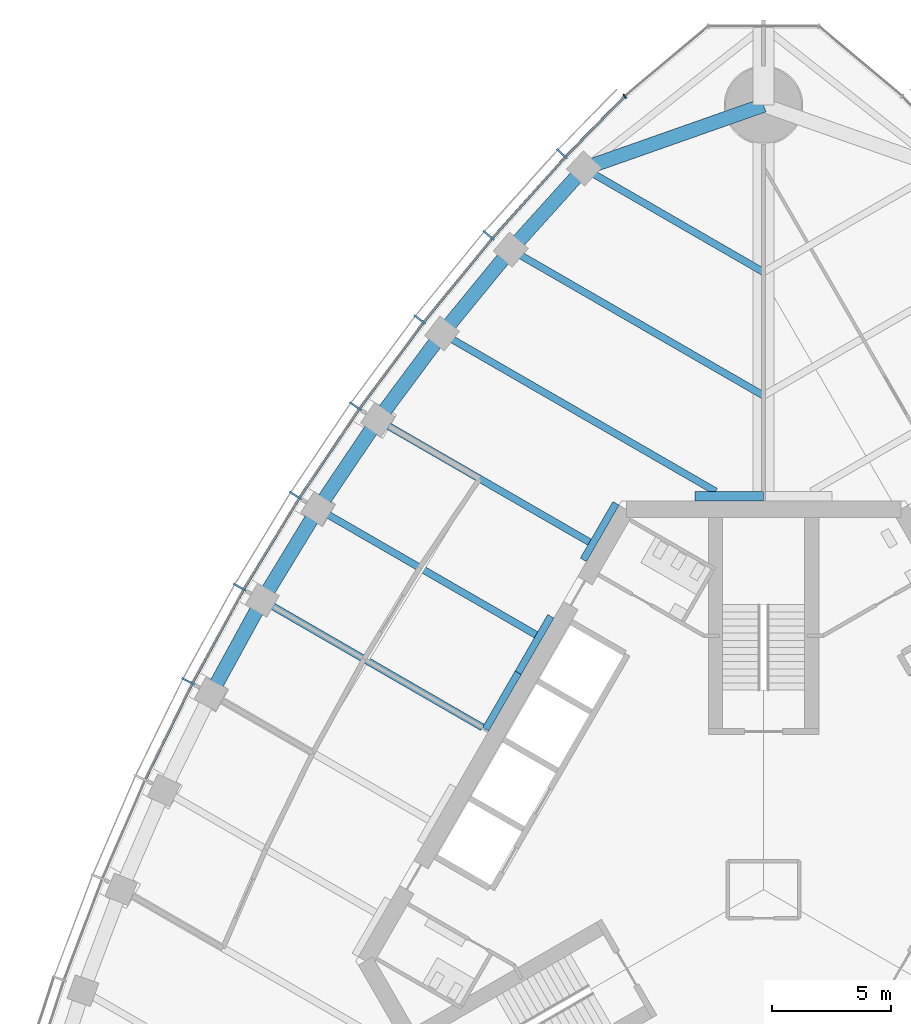
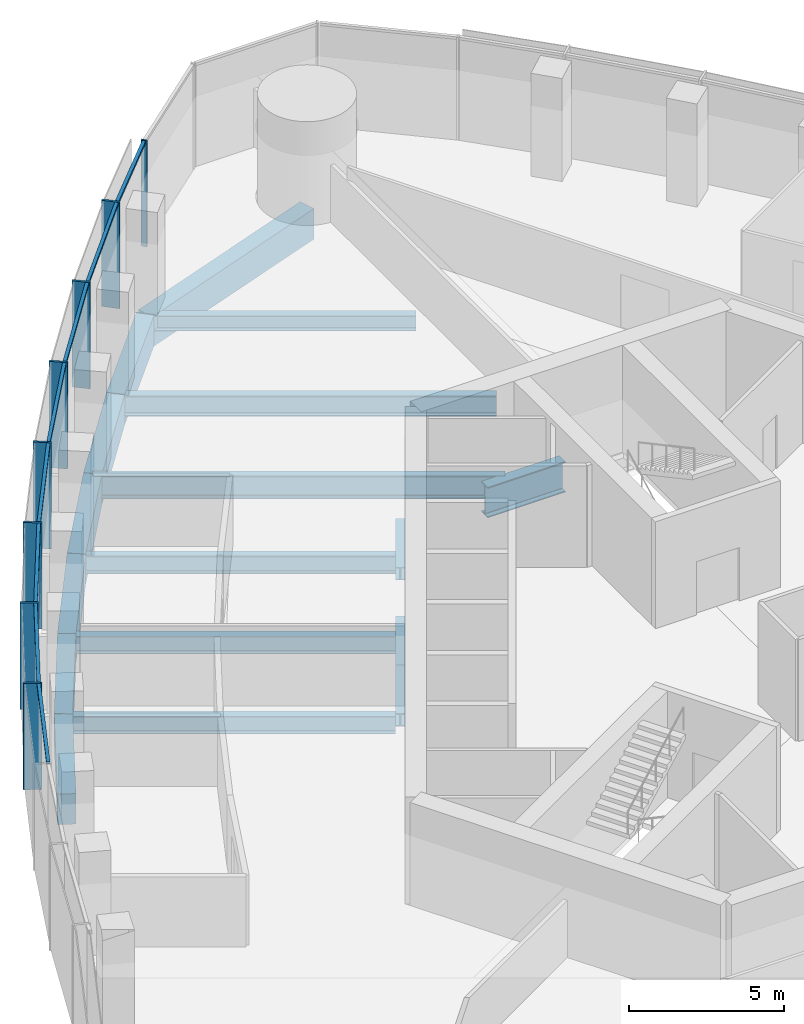
# One storey, part 5 of 19: 17 beams, 16 members, 2 elements without a shape of their own.
"""IFC4 building model written with IfcOpenShell, lengths in metres."""

import ifcopenshell
import ifcopenshell.guid

model = None  # the IFC model being written
_history = None  # IfcOwnerHistory: only IFC2X3 demands one
_inside = {}  # id of a spatial element -> (the spatial element, [elements in it])
_under = {}  # id of a project, library or spatial element -> (it, [spatial elements below it])
_declared = {}  # id of a project -> (the project, [libraries it declares])
_typed = {}  # id of a type object -> (the type object, [elements of that type])
_made_of = {}  # id of a material, layer set ... -> (it, [elements and type objects made of it])


def new_model(schema):
    """Start an empty IFC model of exactly this schema.

    Asked for "IFC4X3", IfcOpenShell would pick the latest addendum, in which some entities
    have other attributes; the version numbers below select the first issue.
    IFC2X3 requires an IfcOwnerHistory on every rooted entity: one is made here for all.
    """
    global model, _history
    if schema == "IFC4X3":
        model = ifcopenshell.file(schema_version=(4, 3, 0, 0))
    else:
        model = ifcopenshell.file(schema=schema)
    _inside.clear()
    _under.clear()
    _declared.clear()
    _typed.clear()
    _made_of.clear()
    _history = None
    if model.schema == "IFC2X3":
        org = make("IfcOrganization", Name="unknown")
        user = make(
            "IfcPersonAndOrganization",
            ThePerson=make("IfcPerson", FamilyName="unknown"),
            TheOrganization=org,
        )
        app = make(
            "IfcApplication",
            ApplicationDeveloper=org,
            Version="unknown",
            ApplicationFullName="unknown",
            ApplicationIdentifier="unknown",
        )
        _history = make(
            "IfcOwnerHistory",
            OwningUser=user,
            OwningApplication=app,
            ChangeAction="ADDED",
            CreationDate=0,
        )
    return model


def make(cls, **values):
    """One entity of the class cls with the attributes given. An attribute that is None is left unset."""
    return model.create_entity(
        cls, **{name: value for name, value in values.items() if value is not None}
    )


def rooted(cls, **values):
    """An entity with a GlobalId (a new one), such as an element, a storey or a relation."""
    return make(cls, GlobalId=ifcopenshell.guid.new(), OwnerHistory=_history, **values)


def si_unit(unit_type, name, prefix=None):
    """IfcSIUnit, for example si_unit("LENGTHUNIT", "METRE", prefix="MILLI")."""
    return make("IfcSIUnit", UnitType=unit_type, Prefix=prefix, Name=name)


def assignment(units):
    """IfcUnitAssignment: the units of a project."""
    return None if units is None else make("IfcUnitAssignment", Units=units)


def point(xyz):
    """IfcCartesianPoint."""
    return None if xyz is None else make("IfcCartesianPoint", Coordinates=xyz)


def direction(xyz):
    """IfcDirection."""
    return None if xyz is None else make("IfcDirection", DirectionRatios=xyz)


def frame(location, z_axis=None, x_axis=None):
    """IfcAxis2Placement3D, a coordinate frame: its origin and axes. An axis left out is left unset."""
    return make(
        "IfcAxis2Placement3D",
        Location=point(location),
        Axis=direction(z_axis),
        RefDirection=direction(x_axis),
    )


def frame_2d(location, x_axis=None):
    """IfcAxis2Placement2D, a coordinate frame in the plane: its origin and x axis."""
    return make(
        "IfcAxis2Placement2D", Location=point(location), RefDirection=direction(x_axis)
    )


def origin():
    """The frame at (0, 0, 0) with its axes left unset."""
    return frame((0.0, 0.0, 0.0))


def origin_2d():
    """The frame at (0, 0) in the plane with its x axis left unset."""
    return frame_2d((0.0, 0.0))


def place(relative_to, where):
    """IfcLocalPlacement: puts the frame where relative to a parent placement (None: the world)."""
    return make(
        "IfcLocalPlacement", PlacementRelTo=relative_to, RelativePlacement=where
    )


def context(
    kind, dimensions, precision=None, world=None, true_north=None, identifier=None
):
    """IfcGeometricRepresentationContext, for example the 3D "Model" context."""
    return make(
        "IfcGeometricRepresentationContext",
        ContextIdentifier=identifier,
        ContextType=kind,
        CoordinateSpaceDimension=dimensions,
        Precision=precision,
        WorldCoordinateSystem=world,
        TrueNorth=true_north,
    )


def subcontext(parent, identifier, kind, view, scale=None):
    """IfcGeometricRepresentationSubContext, for example "Body" below "Model"."""
    return make(
        "IfcGeometricRepresentationSubContext",
        ContextIdentifier=identifier,
        ContextType=kind,
        ParentContext=parent,
        TargetScale=scale,
        TargetView=view,
    )


def project(units=None, contexts=None):
    """IfcProject with its units and contexts."""
    return rooted(
        "IfcProject",
        Name="project",
        RepresentationContexts=contexts,
        UnitsInContext=assignment(units),
    )


def spatial(cls, under=None, at=None, **own):
    """A site, building, storey or space (cls), placed at a placement, below another one or the project."""
    s = rooted(cls, ObjectPlacement=at, **own)
    if under is not None:
        _under.setdefault(under.id(), (under, []))[1].append(s)
    return s


def profile(cls, at=None, kind="AREA", **sizes):
    """A parametric profile (cls). Its sizes go by their IFC names, for example OverallWidth=200.0."""
    return make(cls, ProfileType=kind, Position=at, **sizes)


def rectangle(**sizes):
    """IfcRectangleProfileDef."""
    return profile("IfcRectangleProfileDef", **sizes)


def i_section(**sizes):
    """IfcIShapeProfileDef."""
    return profile("IfcIShapeProfileDef", **sizes)


def extrude(swept, where, along, depth):
    """IfcExtrudedAreaSolid: the profile swept, set in the frame where, extruded along a direction by depth."""
    return make(
        "IfcExtrudedAreaSolid",
        SweptArea=swept,
        Position=where,
        ExtrudedDirection=direction(along),
        Depth=depth,
    )


def shape(context_of_items, identifier, shape_type, items):
    """IfcShapeRepresentation: the items that make up one representation, for example the "Body"."""
    return make(
        "IfcShapeRepresentation",
        ContextOfItems=context_of_items,
        RepresentationIdentifier=identifier,
        RepresentationType=shape_type,
        Items=items,
    )


def material(Name=None, Category=None):
    """IfcMaterial."""
    return make("IfcMaterial", Name=Name, Category=Category)


def material_profile(
    of_material, cross_section, Name=None, Category=None, Priority=None
):
    """IfcMaterialProfile: a cross section and its material."""
    return make(
        "IfcMaterialProfile",
        Name=Name,
        Material=of_material,
        Profile=cross_section,
        Priority=Priority,
        Category=Category,
    )


def profile_set(profiles, Name=None, composite=None):
    """IfcMaterialProfileSet."""
    return make(
        "IfcMaterialProfileSet",
        Name=Name,
        MaterialProfiles=profiles,
        CompositeProfile=composite,
    )


def made_of(thing, what):
    """Note that an element or type object is made of a material, layer set ...; save() writes the relation."""
    if what is not None:
        _made_of.setdefault(what.id(), (what, []))[1].append(thing)
    return thing


def type_object(cls, material=None, **own):
    """A type object (cls), such as IfcWallType, which elements share."""
    return made_of(rooted(cls, **own), material)


def element(
    cls,
    number,
    at=None,
    inside=None,
    cuts=None,
    type_object=None,
    material=None,
    context=None,
    identifier="Body",
    shape_type=None,
    held_by="IfcProductDefinitionShape",
    body=None,
    shapes=None,
    **own,
):
    """One element of the class cls, such as IfcWall. Its Tag is "e" and its number.

    at: its placement. inside: the storey or other place that contains it. cuts: it is an
    opening in that element (IfcRelVoidsElement). A single representation is given by context,
    identifier, shape_type and body (its items); several are given by shapes. held_by: the class
    of the entity that holds the representations. save() writes the other relations.
    """
    e = rooted(cls, Tag="e%d" % number, ObjectPlacement=at, **own)
    if body is not None:
        shapes = [shape(context, identifier, shape_type, body)]
    if shapes is not None:
        e.Representation = make(held_by, Representations=shapes)
    if inside is not None:
        _inside.setdefault(inside.id(), (inside, []))[1].append(e)
    if cuts is not None:
        rooted(
            "IfcRelVoidsElement", RelatingBuildingElement=cuts, RelatedOpeningElement=e
        )
    if type_object is not None:
        _typed.setdefault(type_object.id(), (type_object, []))[1].append(e)
    return made_of(e, material)


def aggregate(whole, parts):
    """IfcRelAggregates: a whole, such as a stair, and the parts it consists of."""
    return rooted("IfcRelAggregates", RelatingObject=whole, RelatedObjects=parts)


def save(model, path):
    """Write the relations noted so far, then the file.

    IfcRelAggregates (storeys below a building ...), IfcRelContainedInSpatialStructure (elements
    in a storey), IfcRelDefinesByType, IfcRelAssociatesMaterial and IfcRelDeclares: one each for
    every whole, place, type object, material and project.
    """
    for whole, parts in _under.values():
        aggregate(whole, parts)
    for where, things in _inside.values():
        rooted(
            "IfcRelContainedInSpatialStructure",
            RelatedElements=things,
            RelatingStructure=where,
        )
    for kind, things in _typed.values():
        rooted("IfcRelDefinesByType", RelatedObjects=things, RelatingType=kind)
    for what, things in _made_of.values():
        rooted("IfcRelAssociatesMaterial", RelatedObjects=things, RelatingMaterial=what)
    for by, libraries in _declared.values():
        rooted("IfcRelDeclares", RelatingContext=by, RelatedDefinitions=libraries)
    model.write(path)


model = new_model("IFC4")

# Units and contexts
model_context = context("Model", 3, precision=1e-05, world=origin(), true_north=direction((0.0, 1.0)))
body_context = subcontext(model_context, "Body", "Model", "MODEL_VIEW")
ifc_project = project(units=[si_unit("LENGTHUNIT", "METRE"), si_unit("AREAUNIT", "SQUARE_METRE"), si_unit("VOLUMEUNIT", "CUBIC_METRE"), si_unit("PLANEANGLEUNIT", "RADIAN"), si_unit("MASSUNIT", "GRAM", prefix="KILO")], contexts=[model_context])

# Site, building, storey
site_placement = place(None, origin())
site = spatial("IfcSite", under=ifc_project, at=site_placement, CompositionType="ELEMENT")
building_placement = place(site_placement, origin())
building = spatial("IfcBuilding", under=site, at=building_placement, Name="Trefoil Bronze Tower", CompositionType="ELEMENT")
storey_placement = place(building_placement, frame((0.0, 0.0, 227.5)))
storey = spatial("IfcBuildingStorey", under=building, at=storey_placement, Name="L52", CompositionType="ELEMENT", Elevation=227.5)

# Curtain wall, members
ifc_material_1 = material(Name="Tinted solar-control glass", Category="glass")
curtain_wall_type_1 = type_object("IfcCurtainWallType", Name="Bronze office curtain wall", PredefinedType="USERDEFINED", material=ifc_material_1)
curtain_wall_1_placement = place(storey_placement, origin())
curtain_wall_1 = element("IfcCurtainWall", 1, at=curtain_wall_1_placement, inside=storey, type_object=curtain_wall_type_1, Name="CW-A L52 F3", ObjectType="CURTAIN WALL", PredefinedType="USERDEFINED")
ifc_material_2 = material(Name="Bronze-finish aluminium", Category="aluminium")
ifc_material_profile_1 = material_profile(ifc_material_2, rectangle(XDim=0.60009765625, YDim=0.080078125, at=origin_2d()), Name="CW-A mullion")
ifc_profile_set_1 = profile_set([ifc_material_profile_1], Name="Bronze-finish aluminium")
member_type_1 = type_object("IfcMemberType", Name="Bronze office curtain wall mullion", PredefinedType="MULLION", material=ifc_profile_set_1)
member_1_placement = place(storey_placement, frame((-8.482177734375, 30.95654296875, 0.0), z_axis=(0.0, 0.0, 1.0), x_axis=(0.729859580661, -0.683597098091, 0.0)))
member_1 = element("IfcMember", 2, at=member_1_placement, type_object=member_type_1, Name="CW-A L52 F3 mullion 2", PredefinedType="MULLION", context=body_context, shape_type="SweptSolid", body=[
    extrude(rectangle(XDim=0.60009765625, YDim=0.080078125, at=origin_2d()), origin(), (0.0, 0.0, 1.0), 4.179931640625),
])
member_2_placement = place(storey_placement, frame((-11.564697265625, 27.525146484375, 0.0), z_axis=(0.0, 0.0, 1.0), x_axis=(0.75935470958, -0.650676897576, 0.0)))
member_2 = element("IfcMember", 3, at=member_2_placement, type_object=member_type_1, Name="CW-A L52 F3 mullion 3", PredefinedType="MULLION", context=body_context, shape_type="SweptSolid", body=[
    extrude(rectangle(XDim=0.60009765625, YDim=0.080078125, at=origin_2d()), origin(), (0.0, 0.0, 1.0), 4.179931640625),
])
member_3_placement = place(storey_placement, frame((-14.45849609375, 23.98388671875, 0.0), z_axis=(0.0, 0.0, 1.0), x_axis=(0.788821461078, -0.614622406476, 0.0)))
member_3 = element("IfcMember", 4, at=member_3_placement, type_object=member_type_1, Name="CW-A L52 F3 mullion 4", PredefinedType="MULLION", context=body_context, shape_type="SweptSolid", body=[
    extrude(rectangle(XDim=0.60009765625, YDim=0.080078125, at=origin_2d()), origin(), (0.0, 0.0, 1.0), 4.179931640625),
])
member_4_placement = place(storey_placement, frame((-17.167236328125, 20.335693359375, 0.0), z_axis=(0.0, 0.0, 1.0), x_axis=(0.81640398396, -0.577481198806, 0.0)))
member_4 = element("IfcMember", 5, at=member_4_placement, type_object=member_type_1, Name="CW-A L52 F3 mullion 5", PredefinedType="MULLION", context=body_context, shape_type="SweptSolid", body=[
    extrude(rectangle(XDim=0.60009765625, YDim=0.080078125, at=origin_2d()), origin(), (0.0, 0.0, 1.0), 4.179931640625),
])
member_5_placement = place(storey_placement, frame((-19.694091796875, 16.58251953125, 0.0), z_axis=(0.0, 0.0, 1.0), x_axis=(0.842132664593, -0.539270410114, 0.0)))
member_5 = element("IfcMember", 6, at=member_5_placement, type_object=member_type_1, Name="CW-A L52 F3 mullion 6", PredefinedType="MULLION", context=body_context, shape_type="SweptSolid", body=[
    extrude(rectangle(XDim=0.60009765625, YDim=0.080078125, at=origin_2d()), origin(), (0.0, 0.0, 1.0), 4.179931640625),
])
member_6_placement = place(storey_placement, frame((-22.041015625, 12.725341796875, 0.0), z_axis=(0.0, 0.0, 1.0), x_axis=(0.866025403784, -0.5, 0.0)))
member_6 = element("IfcMember", 7, at=member_6_placement, type_object=member_type_1, Name="CW-A L52 F3 mullion 7", PredefinedType="MULLION", context=body_context, shape_type="SweptSolid", body=[
    extrude(rectangle(XDim=0.60009765625, YDim=0.080078125, at=origin_2d()), origin(), (0.0, 0.0, 1.0), 4.179931640625),
])
member_7_placement = place(storey_placement, frame((-24.2080078125, 8.764404296875, 0.0), z_axis=(0.0, 0.0, 1.0), x_axis=(0.888088206965, -0.459673075837, 0.0)))
member_7 = element("IfcMember", 8, at=member_7_placement, type_object=member_type_1, Name="CW-A L52 F3 mullion 8", PredefinedType="MULLION", context=body_context, shape_type="SweptSolid", body=[
    extrude(rectangle(XDim=0.60009765625, YDim=0.080078125, at=origin_2d()), origin(), (0.0, 0.0, 1.0), 4.179931640625),
])
ifc_material_3 = material(Name="Bronze-finish aluminium", Category="aluminium")
ifc_material_profile_2 = material_profile(ifc_material_3, rectangle(XDim=0.1201171875, YDim=0.10009765625, at=origin_2d()), Name="CW-A transom")
ifc_profile_set_2 = profile_set([ifc_material_profile_2], Name="Bronze-finish aluminium")
member_type_2 = type_object("IfcMemberType", Name="Bronze office curtain wall transom", PredefinedType="USERDEFINED", material=ifc_profile_set_2)
member_8_placement = place(storey_placement, frame((-5.873046875, 33.342529296875, 4.1298828125), z_axis=(-0.698646935368, -0.715466602785, 0.0), x_axis=(0.715466602785, -0.698646935368, 0.0)))
member_8 = element("IfcMember", 9, at=member_8_placement, type_object=member_type_2, Name="CW-A L52 F3 transom 1", ObjectType="TRANSOM", PredefinedType="USERDEFINED", context=body_context, shape_type="SweptSolid", body=[
    extrude(rectangle(XDim=0.1201171875, YDim=0.10009765625, at=origin_2d()), origin(), (0.0, 0.0, 1.0), 3.483642578125),
])
member_9_placement = place(storey_placement, frame((-8.364501953125, 30.78857421875, 4.1298828125), z_axis=(-0.66825109551, -0.743935799213, 0.0), x_axis=(0.743935799213, -0.66825109551, 0.0)))
member_9 = element("IfcMember", 10, at=member_9_placement, type_object=member_type_2, Name="CW-A L52 F3 transom 2", ObjectType="TRANSOM", PredefinedType="USERDEFINED", context=body_context, shape_type="SweptSolid", body=[
    extrude(rectangle(XDim=0.1201171875, YDim=0.10009765625, at=origin_2d()), origin(), (0.0, 0.0, 1.0), 4.519287109375),
])
member_10_placement = place(storey_placement, frame((-11.439453125, 27.3623046875, 4.1298828125), z_axis=(-0.632756871921, -0.774350528531, 0.0), x_axis=(0.774350528531, -0.632756871921, 0.0)))
member_10 = element("IfcMember", 11, at=member_10_placement, type_object=member_type_2, Name="CW-A L52 F3 transom 3", ObjectType="TRANSOM", PredefinedType="USERDEFINED", context=body_context, shape_type="SweptSolid", body=[
    extrude(rectangle(XDim=0.1201171875, YDim=0.10009765625, at=origin_2d()), origin(), (0.0, 0.0, 1.0), 4.4794921875),
])
member_11_placement = place(storey_placement, frame((-14.325927734375, 23.826904296875, 4.1298828125), z_axis=(-0.59614822717, -0.802874393191, 0.0), x_axis=(0.802874393191, -0.59614822717, 0.0)))
member_11 = element("IfcMember", 12, at=member_11_placement, type_object=member_type_2, Name="CW-A L52 F3 transom 4", ObjectType="TRANSOM", PredefinedType="USERDEFINED", context=body_context, shape_type="SweptSolid", body=[
    extrude(rectangle(XDim=0.1201171875, YDim=0.10009765625, at=origin_2d()), origin(), (0.0, 0.0, 1.0), 4.449951171875),
])
member_12_placement = place(storey_placement, frame((-17.027587890625, 20.18505859375, 4.1298828125), z_axis=(-0.558509087547, -0.829498402125, 0.0), x_axis=(0.829498402125, -0.558509087547, 0.0)))
member_12 = element("IfcMember", 13, at=member_12_placement, type_object=member_type_2, Name="CW-A L52 F3 transom 5", ObjectType="TRANSOM", PredefinedType="USERDEFINED", context=body_context, shape_type="SweptSolid", body=[
    extrude(rectangle(XDim=0.1201171875, YDim=0.10009765625, at=origin_2d()), origin(), (0.0, 0.0, 1.0), 4.4306640625),
])
member_13_placement = place(storey_placement, frame((-19.5478515625, 16.4384765625, 4.1298828125), z_axis=(-0.519740214649, -0.854324358354, 0.0), x_axis=(0.854324358354, -0.519740214649, 0.0)))
member_13 = element("IfcMember", 14, at=member_13_placement, type_object=member_type_2, Name="CW-A L52 F3 transom 6", ObjectType="TRANSOM", PredefinedType="USERDEFINED", context=body_context, shape_type="SweptSolid", body=[
    extrude(rectangle(XDim=0.1201171875, YDim=0.10009765625, at=origin_2d()), origin(), (0.0, 0.0, 1.0), 4.421142578125),
])
member_14_placement = place(storey_placement, frame((-21.887939453125, 12.588134765625, 4.1298828125), z_axis=(-0.479973729071, -0.877282861683, 0.0), x_axis=(0.877282861683, -0.479973729071, 0.0)))
member_14 = element("IfcMember", 15, at=member_14_placement, type_object=member_type_2, Name="CW-A L52 F3 transom 7", ObjectType="TRANSOM", PredefinedType="USERDEFINED", context=body_context, shape_type="SweptSolid", body=[
    extrude(rectangle(XDim=0.1201171875, YDim=0.10009765625, at=origin_2d()), origin(), (0.0, 0.0, 1.0), 4.421142578125),
])
member_15_placement = place(storey_placement, frame((-24.048828125, 8.634521484375, 4.1298828125), z_axis=(-0.439150835991, -0.898413347657, 0.0), x_axis=(0.898413347657, -0.439150835991, 0.0)))
member_15 = element("IfcMember", 16, at=member_15_placement, type_object=member_type_2, Name="CW-A L52 F3 transom 8", ObjectType="TRANSOM", PredefinedType="USERDEFINED", context=body_context, shape_type="SweptSolid", body=[
    extrude(rectangle(XDim=0.1201171875, YDim=0.10009765625, at=origin_2d()), origin(), (0.0, 0.0, 1.0), 4.430908203125),
])
aggregate(curtain_wall_1, [member_1, member_2, member_3, member_4, member_5, member_6, member_7, member_8, member_9, member_10, member_11, member_12, member_13, member_14, member_15])

# Curtain wall, member
ifc_material_4 = material(Name="Tinted solar-control glass", Category="glass")
curtain_wall_type_2 = type_object("IfcCurtainWallType", Name="Bronze rounded corner curtain wall", PredefinedType="USERDEFINED", material=ifc_material_4)
curtain_wall_2_placement = place(storey_placement, origin())
curtain_wall_2 = element("IfcCurtainWall", 17, at=curtain_wall_2_placement, inside=storey, type_object=curtain_wall_type_2, Name="CW-B L52 K2", ObjectType="CURTAIN WALL", PredefinedType="USERDEFINED")
ifc_material_5 = material(Name="Bronze-finish aluminium", Category="aluminium")
ifc_material_profile_3 = material_profile(ifc_material_5, rectangle(XDim=0.199951171875, YDim=0.06005859375, at=origin_2d()), Name="CW-B mullion")
ifc_profile_set_3 = profile_set([ifc_material_profile_3], Name="Bronze-finish aluminium")
member_type_3 = type_object("IfcMemberType", Name="Bronze rounded corner curtain wall mullion", PredefinedType="MULLION", material=ifc_profile_set_3)
member_16_placement = place(storey_placement, frame((-5.837890625, 33.3779296875, 0.0), z_axis=(0.0, 0.0, 1.0), x_axis=(0.642787609687, -0.766044443119, 0.0)))
member_16 = element("IfcMember", 18, at=member_16_placement, type_object=member_type_3, Name="CW-B L52 K2 mullion 4", PredefinedType="MULLION", context=body_context, shape_type="SweptSolid", body=[
    extrude(rectangle(XDim=0.199951171875, YDim=0.06005859375, at=origin_2d()), origin(), (0.0, 0.0, 1.0), 4.179931640625),
])
aggregate(curtain_wall_2, [member_16])

# Beams
ifc_material_6 = material(Name="Steel C355", Category="steel")
ifc_material_profile_4 = material_profile(ifc_material_6, i_section(OverallWidth=0.300048828125, OverallDepth=0.5, WebThickness=0.014404296875, FlangeThickness=0.028076171875, FilletRadius=0.027099609375, at=origin_2d()), Name="HEB 500")
ifc_profile_set_4 = profile_set([ifc_material_profile_4], Name="Steel C355")
beam_type_1 = type_object("IfcBeamType", Name="Core seat beam HEB 500", PredefinedType="BEAM", material=ifc_profile_set_4)
for number, where, z_axis, x_axis, name in (
    (19, (-6.20654296875, 16.25, -0.449951171875), (-0.499969057507, -0.866043267704, 0.0), (0.866043267704, -0.499969057507, 0.0), "Core seat beam F3/-2 L52"),
    (20, (-8.948974609375, 11.5, -0.449951171875), (-0.499969057507, -0.866043267704, 0.0), (0.866043267704, -0.499969057507, 0.0), "Core seat beam F3/-1 L52"),
    (21, (-10.320068359375, 9.125, -0.449951171875), (-0.500035825175, -0.866004719122, 0.0), (0.866004719122, -0.500035825175, 0.0), "Core seat beam F3/+0 L52"),
):
    element("IfcBeam", number, at=place(storey_placement, frame(where, z_axis=z_axis, x_axis=x_axis)), inside=storey, type_object=beam_type_1, Name=name, PredefinedType="BEAM", context=body_context, shape_type="SweptSolid", body=[
        extrude(i_section(OverallWidth=0.300048828125, OverallDepth=0.5, WebThickness=0.014404296875, FlangeThickness=0.028076171875, FilletRadius=0.027099609375, at=origin_2d()), origin(), (0.0, 0.0, 1.0), 2.742431640625),
    ])
ifc_material_7 = material(Name="Steel C355", Category="steel")
ifc_material_profile_5 = material_profile(ifc_material_7, i_section(OverallWidth=0.39990234375, OverallDepth=1.199951171875, WebThickness=0.02001953125, FlangeThickness=0.0400390625, FilletRadius=0.010009765625, at=origin_2d()), Name="WPG 1200")
ifc_profile_set_5 = profile_set([ifc_material_profile_5], Name="Steel C355")
beam_type_2 = type_object("IfcBeamType", Name="Core seat beam WPG 1200", PredefinedType="BEAM", material=ifc_profile_set_5)
beam_1_placement = place(storey_placement, frame((0.0, 16.550048828125, -0.800048828125), z_axis=(-1.0, 0.0, 0.0), x_axis=(0.0, -1.0, 0.0)))
element("IfcBeam", 22, at=beam_1_placement, inside=storey, type_object=beam_type_2, Name="Core seat beam F3/-3 L52", PredefinedType="BEAM", context=body_context, shape_type="SweptSolid", body=[
    extrude(i_section(OverallWidth=0.39990234375, OverallDepth=1.199951171875, WebThickness=0.02001953125, FlangeThickness=0.0400390625, FilletRadius=0.010009765625, at=origin_2d()), origin(), (0.0, 0.0, 1.0), 2.88671875),
])
ifc_material_8 = material(Name="Concrete B80", Category="concrete")
ifc_material_profile_6 = material_profile(ifc_material_8, rectangle(XDim=0.60009765625, YDim=1.199951171875, at=origin_2d()), Name="RC 600x1200")
ifc_profile_set_6 = profile_set([ifc_material_profile_6], Name="Concrete B80")
beam_type_3 = type_object("IfcBeamType", Name="End spandrel beam RC 600x1200", PredefinedType="SPANDREL", material=ifc_profile_set_6)
beam_2_placement = place(storey_placement, frame((0.0, 33.0, -0.800048828125), z_axis=(-0.943234397359, -0.332127794137, 0.0), x_axis=(0.332127794137, -0.943234397359, 0.0)))
element("IfcBeam", 23, at=beam_2_placement, inside=storey, type_object=beam_type_3, Name="Spandrel F3.1 L52", PredefinedType="SPANDREL", context=body_context, shape_type="SweptSolid", body=[
    extrude(rectangle(XDim=0.60009765625, YDim=1.199951171875, at=origin_2d()), origin(), (0.0, 0.0, 1.0), 8.006591796875),
])
ifc_material_9 = material(Name="Steel C355", Category="steel")
ifc_material_profile_7 = material_profile(ifc_material_9, i_section(OverallWidth=0.300048828125, OverallDepth=0.590087890625, WebThickness=0.012939453125, FlangeThickness=0.02490234375, FilletRadius=0.027099609375, at=origin_2d()), Name="HEA 600")
ifc_profile_set_7 = profile_set([ifc_material_profile_7], Name="Steel C355")
beam_type_4 = type_object("IfcBeamType", Name="Floor beam HEA 600", PredefinedType="BEAM", material=ifc_profile_set_7)
beam_3_placement = place(storey_placement, frame((-7.552001953125, 30.3408203125, -0.4951171875), z_axis=(0.866027535932, -0.499996306993, 0.0), x_axis=(0.499996306993, 0.866027535932, 0.0)))
element("IfcBeam", 24, at=beam_3_placement, inside=storey, type_object=beam_type_4, Name="Floor beam F3/-5 L52", PredefinedType="BEAM", context=body_context, shape_type="SweptSolid", body=[
    extrude(i_section(OverallWidth=0.300048828125, OverallDepth=0.590087890625, WebThickness=0.012939453125, FlangeThickness=0.02490234375, FilletRadius=0.027099609375, at=origin_2d()), origin(), (0.0, 0.0, 1.0), 8.72021484375),
])
ifc_material_10 = material(Name="Steel C355", Category="steel")
ifc_material_profile_8 = material_profile(ifc_material_10, i_section(OverallWidth=0.300048828125, OverallDepth=0.699951171875, WebThickness=0.01708984375, FlangeThickness=0.031982421875, FilletRadius=0.027099609375, at=origin_2d()), Name="HEB 700")
ifc_profile_set_8 = profile_set([ifc_material_profile_8], Name="Steel C355")
beam_type_5 = type_object("IfcBeamType", Name="Floor beam HEB 700", PredefinedType="BEAM", material=ifc_profile_set_8)
beam_4_placement = place(storey_placement, frame((-16.2265625, 19.7607421875, -0.550048828125), z_axis=(0.866019527493, -0.500010177898, 0.0), x_axis=(0.500010177898, 0.866019527493, 0.0)))
element("IfcBeam", 25, at=beam_4_placement, inside=storey, type_object=beam_type_5, Name="Floor beam F3/-2 L52", PredefinedType="BEAM", context=body_context, shape_type="SweptSolid", body=[
    extrude(i_section(OverallWidth=0.300048828125, OverallDepth=0.699951171875, WebThickness=0.01708984375, FlangeThickness=0.031982421875, FilletRadius=0.027099609375, at=origin_2d()), origin(), (0.0, 0.0, 1.0), 10.282958984375),
])
beam_5_placement = place(storey_placement, frame((-18.748046875, 16.020263671875, -0.550048828125), z_axis=(0.86602981261, -0.499992363612, 0.0), x_axis=(0.499992363612, 0.86602981261, 0.0)))
element("IfcBeam", 26, at=beam_5_placement, inside=storey, type_object=beam_type_5, Name="Floor beam F3/-1 L52", PredefinedType="BEAM", context=body_context, shape_type="SweptSolid", body=[
    extrude(i_section(OverallWidth=0.300048828125, OverallDepth=0.699951171875, WebThickness=0.01708984375, FlangeThickness=0.031982421875, FilletRadius=0.027099609375, at=origin_2d()), origin(), (0.0, 0.0, 1.0), 10.596435546875),
])
beam_6_placement = place(storey_placement, frame((-21.08837890625, 12.17529296875, -0.550048828125), z_axis=(0.86602601154, -0.499998947334, 0.0), x_axis=(0.499998947334, 0.86602601154, 0.0)))
element("IfcBeam", 27, at=beam_6_placement, inside=storey, type_object=beam_type_5, Name="Floor beam F3/+0 L52", PredefinedType="BEAM", context=body_context, shape_type="SweptSolid", body=[
    extrude(i_section(OverallWidth=0.300048828125, OverallDepth=0.699951171875, WebThickness=0.01708984375, FlangeThickness=0.031982421875, FilletRadius=0.027099609375, at=origin_2d()), origin(), (0.0, 0.0, 1.0), 10.70068359375),
])
ifc_material_11 = material(Name="Steel C355", Category="steel")
ifc_material_profile_9 = material_profile(ifc_material_11, i_section(OverallWidth=0.300048828125, OverallDepth=0.800048828125, WebThickness=0.017578125, FlangeThickness=0.032958984375, FilletRadius=0.030029296875, at=origin_2d()), Name="HEB 800")
ifc_profile_set_9 = profile_set([ifc_material_profile_9], Name="Steel C355")
beam_type_6 = type_object("IfcBeamType", Name="Floor beam HEB 800", PredefinedType="BEAM", material=ifc_profile_set_9)
beam_7_placement = place(storey_placement, frame((-10.632080078125, 26.923095703125, -0.60009765625), z_axis=(0.866025635187, -0.499999599199, 0.0), x_axis=(0.499999599199, 0.866025635187, 0.0)))
element("IfcBeam", 28, at=beam_7_placement, inside=storey, type_object=beam_type_6, Name="Floor beam F3/-4 L52", PredefinedType="BEAM", context=body_context, shape_type="SweptSolid", body=[
    extrude(i_section(OverallWidth=0.300048828125, OverallDepth=0.800048828125, WebThickness=0.017578125, FlangeThickness=0.032958984375, FilletRadius=0.030029296875, at=origin_2d()), origin(), (0.0, 0.0, 1.0), 12.27685546875),
])
ifc_material_12 = material(Name="Steel C355", Category="steel")
ifc_material_profile_10 = material_profile(ifc_material_12, i_section(OverallWidth=0.300048828125, OverallDepth=0.89990234375, WebThickness=0.0185546875, FlangeThickness=0.034912109375, FilletRadius=0.030029296875, at=origin_2d()), Name="HEB 900")
ifc_profile_set_10 = profile_set([ifc_material_profile_10], Name="Steel C355")
beam_type_7 = type_object("IfcBeamType", Name="Floor beam HEB 900", PredefinedType="BEAM", material=ifc_profile_set_10)
beam_8_placement = place(storey_placement, frame((-13.522216796875, 23.3955078125, -0.64990234375), z_axis=(0.866023461342, -0.500003364394, 0.0), x_axis=(0.500003364394, 0.866023461342, 0.0)))
element("IfcBeam", 29, at=beam_8_placement, inside=storey, type_object=beam_type_7, Name="Floor beam F3/-3 L52", PredefinedType="BEAM", context=body_context, shape_type="SweptSolid", body=[
    extrude(i_section(OverallWidth=0.300048828125, OverallDepth=0.89990234375, WebThickness=0.0185546875, FlangeThickness=0.034912109375, FilletRadius=0.030029296875, at=origin_2d()), origin(), (0.0, 0.0, 1.0), 13.291015625),
])
ifc_material_13 = material(Name="Concrete B80", Category="concrete")
ifc_material_profile_11 = material_profile(ifc_material_13, rectangle(XDim=0.60009765625, YDim=1.199951171875, at=origin_2d()), Name="RC 600x1200")
ifc_profile_set_11 = profile_set([ifc_material_profile_11], Name="Concrete B80")
beam_type_8 = type_object("IfcBeamType", Name="Spandrel beam RC 600x1200", PredefinedType="SPANDREL", material=ifc_profile_set_11)
beam_9_placement = place(storey_placement, frame((-7.552001953125, 30.3408203125, -0.800048828125), z_axis=(-0.669460045872, -0.742848064534, 0.0), x_axis=(0.742848064534, -0.669460045872, 0.0)))
element("IfcBeam", 30, at=beam_9_placement, inside=storey, type_object=beam_type_8, Name="Spandrel F3.2 L52", PredefinedType="SPANDREL", context=body_context, shape_type="SweptSolid", body=[
    extrude(rectangle(XDim=0.60009765625, YDim=1.199951171875, at=origin_2d()), origin(), (0.0, 0.0, 1.0), 4.600830078125),
])
beam_10_placement = place(storey_placement, frame((-10.632080078125, 26.923095703125, -0.800048828125), z_axis=(-0.633753657863, -0.773534938542, 0.0), x_axis=(0.773534938542, -0.633753657863, 0.0)))
element("IfcBeam", 31, at=beam_10_placement, inside=storey, type_object=beam_type_8, Name="Spandrel F3.3 L52", PredefinedType="SPANDREL", context=body_context, shape_type="SweptSolid", body=[
    extrude(rectangle(XDim=0.60009765625, YDim=1.199951171875, at=origin_2d()), origin(), (0.0, 0.0, 1.0), 4.560302734375),
])
beam_11_placement = place(storey_placement, frame((-13.522216796875, 23.3955078125, -0.800048828125), z_axis=(-0.596926078257, -0.802296240236, 0.0), x_axis=(0.802296240236, -0.596926078257, 0.0)))
element("IfcBeam", 32, at=beam_11_placement, inside=storey, type_object=beam_type_8, Name="Spandrel F3.4 L52", PredefinedType="SPANDREL", context=body_context, shape_type="SweptSolid", body=[
    extrude(rectangle(XDim=0.60009765625, YDim=1.199951171875, at=origin_2d()), origin(), (0.0, 0.0, 1.0), 4.530517578125),
])
beam_12_placement = place(storey_placement, frame((-16.2265625, 19.7607421875, -0.800048828125), z_axis=(-0.558964302753, -0.829191719838, 0.0), x_axis=(0.829191719838, -0.558964302753, 0.0)))
element("IfcBeam", 33, at=beam_12_placement, inside=storey, type_object=beam_type_8, Name="Spandrel F3.5 L52", PredefinedType="SPANDREL", context=body_context, shape_type="SweptSolid", body=[
    extrude(rectangle(XDim=0.60009765625, YDim=1.199951171875, at=origin_2d()), origin(), (0.0, 0.0, 1.0), 4.510986328125),
])
for number, where, z_axis, x_axis, name in (
    (34, (-18.748046875, 16.020263671875, -0.800048828125), (-0.519933181394, -0.854206934464, 0.0), (0.854206934464, -0.519933181394, 0.0), "Spandrel F3.6 L52"),
    (35, (-21.08837890625, 12.17529296875, -0.800048828125), (-0.479801903802, -0.87737684783, 0.0), (0.87737684783, -0.479801903802, 0.0), "Spandrel F3.7 L52"),
):
    element("IfcBeam", number, at=place(storey_placement, frame(where, z_axis=z_axis, x_axis=x_axis)), inside=storey, type_object=beam_type_8, Name=name, PredefinedType="SPANDREL", context=body_context, shape_type="SweptSolid", body=[
        extrude(rectangle(XDim=0.60009765625, YDim=1.199951171875, at=origin_2d()), origin(), (0.0, 0.0, 1.0), 4.501220703125),
    ])

save(model, "model.ifc")
